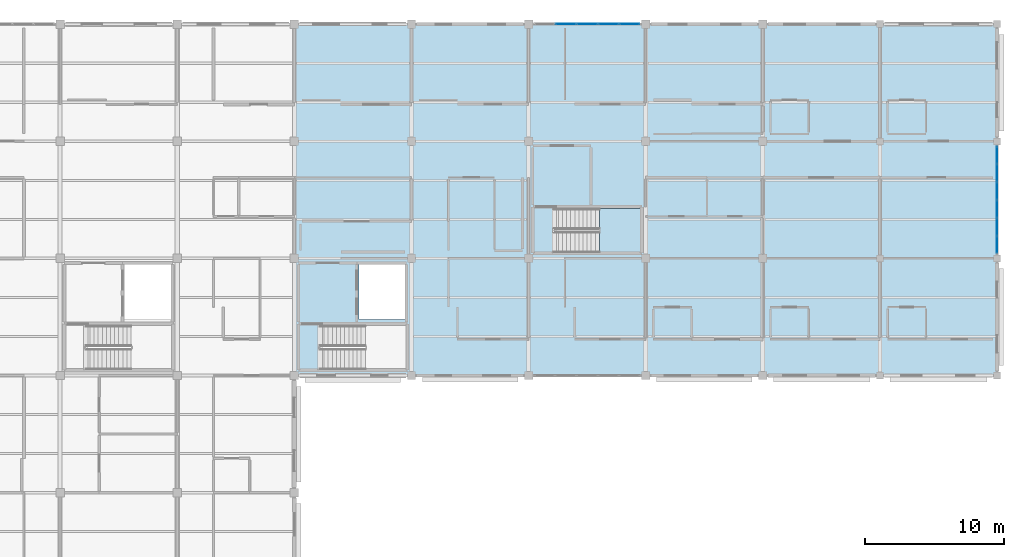
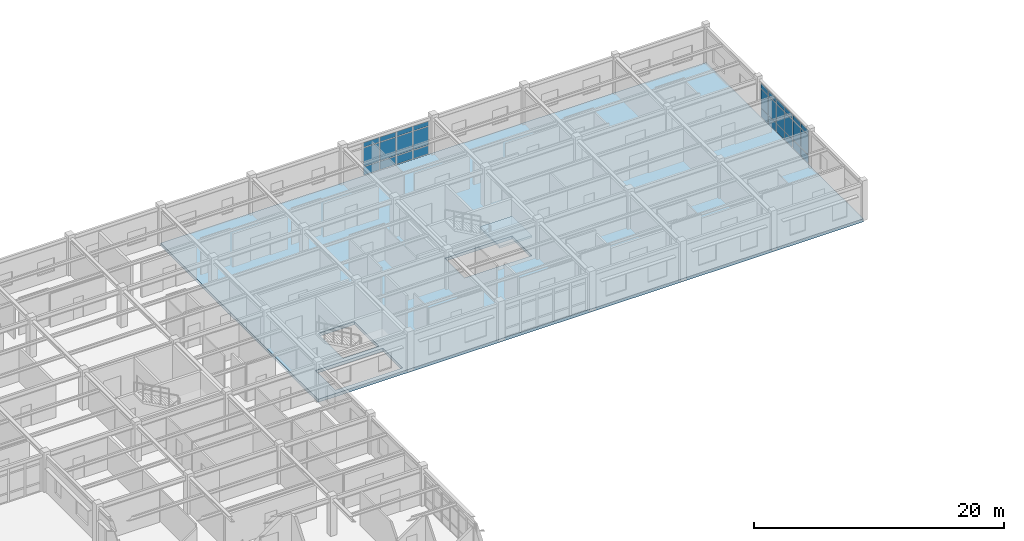
# One storey, part 49 of 86: 30 plates, 2 slabs, 3 elements without a shape of their own.
"""IFC4 building model written with IfcOpenShell, lengths in metres."""

from ifc_helpers import new_model, si_unit, direction, frame, origin, origin_2d, place, context, subcontext, project, spatial, polyline, rectangle, outline, extrude, material, layer, layer_set, type_object, element, aggregate, save


model = new_model("IFC4")

# Units and contexts
model_context = context("Model", 3, precision=1e-05, world=origin(), true_north=direction((0.0, 1.0)))
body_context = subcontext(model_context, "Body", "Model", "MODEL_VIEW")
ifc_project = project(units=[si_unit("LENGTHUNIT", "METRE"), si_unit("AREAUNIT", "SQUARE_METRE"), si_unit("VOLUMEUNIT", "CUBIC_METRE"), si_unit("PLANEANGLEUNIT", "RADIAN"), si_unit("MASSUNIT", "GRAM", prefix="KILO")], contexts=[model_context])

# Site, building, storey
site_placement = place(None, origin())
site = spatial("IfcSite", under=ifc_project, at=site_placement, CompositionType="ELEMENT")
building_placement = place(site_placement, origin())
building = spatial("IfcBuilding", under=site, at=building_placement, Name="Bramfleet General Hospital", CompositionType="ELEMENT")
storey_placement = place(building_placement, frame((0.0, 0.0, 18.60009765625)))
storey = spatial("IfcBuildingStorey", under=building, at=storey_placement, Name="L04", CompositionType="ELEMENT", Elevation=18.60009765625)

# Curtain wall, plates
ifc_material_1 = material(Name="Anodised aluminium and low-E triple glazing", Category="aluminium")
ifc_layer_1 = layer(ifc_material_1, 0.179931640625, Name="CWT-CW-09")
ifc_layer_set_1 = layer_set([ifc_layer_1], Name="Anodised aluminium and low-E triple glazing")
curtain_wall_type_1 = type_object("IfcCurtainWallType", Name="CWT-CW-09", PredefinedType="USERDEFINED", material=ifc_layer_set_1)
curtain_wall_1_placement = place(storey_placement, origin())
curtain_wall_1 = element("IfcCurtainWall", 1, at=curtain_wall_1_placement, inside=storey, type_object=curtain_wall_type_1, Name="L04 Curtain Wall 189", ObjectType="Unitised curtain wall", PredefinedType="USERDEFINED")
ifc_material_2 = material(Name="Low-E laminated safety glass", Category="glass")
ifc_layer_2 = layer(ifc_material_2, 0.028076171875, Name="CWP-GLZ-1")
ifc_layer_set_2 = layer_set([ifc_layer_2], Name="Low-E laminated safety glass")
plate_type_1 = type_object("IfcPlateType", Name="CWP-GLZ-1", PredefinedType="CURTAIN_PANEL", material=ifc_layer_set_2)
plate_1_placement = place(storey_placement, frame((137.070068359375, 117.60009765625, 0.06494140625), z_axis=(0.0, 0.0, 1.0), x_axis=(1.0, 0.0, 0.0)))
plate_1 = element("IfcPlate", 2, at=plate_1_placement, type_object=plate_type_1, Name="CW-09 panel 2.1", PredefinedType="CURTAIN_PANEL", context=body_context, shape_type="SweptSolid", body=[
    extrude(rectangle(XDim=1.4599609375, YDim=0.028076171875, at=origin_2d()), origin(), (0.0, 0.0, 1.0), 0.802490234375),
])
plate_2_placement = place(storey_placement, frame((137.070068359375, 117.60009765625, 0.932373046875), z_axis=(0.0, 0.0, 1.0), x_axis=(1.0, 0.0, 0.0)))
plate_2 = element("IfcPlate", 3, at=plate_2_placement, type_object=plate_type_1, Name="CW-09 panel 2.2", PredefinedType="CURTAIN_PANEL", context=body_context, shape_type="SweptSolid", body=[
    extrude(rectangle(XDim=1.4599609375, YDim=0.028076171875, at=origin_2d()), origin(), (0.0, 0.0, 1.0), 1.794921875),
])
plate_3_placement = place(storey_placement, frame((137.070068359375, 117.60009765625, 2.79248046875), z_axis=(0.0, 0.0, 1.0), x_axis=(1.0, 0.0, 0.0)))
plate_3 = element("IfcPlate", 4, at=plate_3_placement, type_object=plate_type_1, Name="CW-09 panel 2.3", PredefinedType="CURTAIN_PANEL", context=body_context, shape_type="SweptSolid", body=[
    extrude(rectangle(XDim=1.4599609375, YDim=0.028076171875, at=origin_2d()), origin(), (0.0, 0.0, 1.0), 0.452392578125),
])
plate_4_placement = place(storey_placement, frame((138.60009765625, 117.60009765625, 0.06494140625), z_axis=(0.0, 0.0, 1.0), x_axis=(1.0, 0.0, 0.0)))
plate_4 = element("IfcPlate", 5, at=plate_4_placement, type_object=plate_type_1, Name="CW-09 panel 3.1", PredefinedType="CURTAIN_PANEL", context=body_context, shape_type="SweptSolid", body=[
    extrude(rectangle(XDim=1.4599609375, YDim=0.028076171875, at=origin_2d()), origin(), (0.0, 0.0, 1.0), 0.802490234375),
])
plate_5_placement = place(storey_placement, frame((138.60009765625, 117.60009765625, 0.932373046875), z_axis=(0.0, 0.0, 1.0), x_axis=(1.0, 0.0, 0.0)))
plate_5 = element("IfcPlate", 6, at=plate_5_placement, type_object=plate_type_1, Name="CW-09 panel 3.2", PredefinedType="CURTAIN_PANEL", context=body_context, shape_type="SweptSolid", body=[
    extrude(rectangle(XDim=1.4599609375, YDim=0.028076171875, at=origin_2d()), origin(), (0.0, 0.0, 1.0), 1.794921875),
])
plate_6_placement = place(storey_placement, frame((138.60009765625, 117.60009765625, 2.79248046875), z_axis=(0.0, 0.0, 1.0), x_axis=(1.0, 0.0, 0.0)))
plate_6 = element("IfcPlate", 7, at=plate_6_placement, type_object=plate_type_1, Name="CW-09 panel 3.3", PredefinedType="CURTAIN_PANEL", context=body_context, shape_type="SweptSolid", body=[
    extrude(rectangle(XDim=1.4599609375, YDim=0.028076171875, at=origin_2d()), origin(), (0.0, 0.0, 1.0), 0.452392578125),
])
plate_7_placement = place(storey_placement, frame((140.1298828125, 117.60009765625, 0.06494140625), z_axis=(0.0, 0.0, 1.0), x_axis=(1.0, 0.0, 0.0)))
plate_7 = element("IfcPlate", 8, at=plate_7_placement, type_object=plate_type_1, Name="CW-09 panel 4.1", PredefinedType="CURTAIN_PANEL", context=body_context, shape_type="SweptSolid", body=[
    extrude(rectangle(XDim=1.4599609375, YDim=0.028076171875, at=origin_2d()), origin(), (0.0, 0.0, 1.0), 0.802490234375),
])
plate_8_placement = place(storey_placement, frame((140.1298828125, 117.60009765625, 0.932373046875), z_axis=(0.0, 0.0, 1.0), x_axis=(1.0, 0.0, 0.0)))
plate_8 = element("IfcPlate", 9, at=plate_8_placement, type_object=plate_type_1, Name="CW-09 panel 4.2", PredefinedType="CURTAIN_PANEL", context=body_context, shape_type="SweptSolid", body=[
    extrude(rectangle(XDim=1.4599609375, YDim=0.028076171875, at=origin_2d()), origin(), (0.0, 0.0, 1.0), 1.794921875),
])
plate_9_placement = place(storey_placement, frame((140.1298828125, 117.60009765625, 2.79248046875), z_axis=(0.0, 0.0, 1.0), x_axis=(1.0, 0.0, 0.0)))
plate_9 = element("IfcPlate", 10, at=plate_9_placement, type_object=plate_type_1, Name="CW-09 panel 4.3", PredefinedType="CURTAIN_PANEL", context=body_context, shape_type="SweptSolid", body=[
    extrude(rectangle(XDim=1.4599609375, YDim=0.028076171875, at=origin_2d()), origin(), (0.0, 0.0, 1.0), 0.452392578125),
])
plate_10_placement = place(storey_placement, frame((141.642578125, 117.60009765625, 0.06494140625), z_axis=(0.0, 0.0, 1.0), x_axis=(1.0, 0.0, 0.0)))
plate_10 = element("IfcPlate", 11, at=plate_10_placement, type_object=plate_type_1, Name="CW-09 panel 5.1", PredefinedType="CURTAIN_PANEL", context=body_context, shape_type="SweptSolid", body=[
    extrude(rectangle(XDim=1.425048828125, YDim=0.028076171875, at=origin_2d()), origin(), (0.0, 0.0, 1.0), 0.802490234375),
])
plate_11_placement = place(storey_placement, frame((141.642578125, 117.60009765625, 0.932373046875), z_axis=(0.0, 0.0, 1.0), x_axis=(1.0, 0.0, 0.0)))
plate_11 = element("IfcPlate", 12, at=plate_11_placement, type_object=plate_type_1, Name="CW-09 panel 5.2", PredefinedType="CURTAIN_PANEL", context=body_context, shape_type="SweptSolid", body=[
    extrude(rectangle(XDim=1.425048828125, YDim=0.028076171875, at=origin_2d()), origin(), (0.0, 0.0, 1.0), 1.794921875),
])
plate_12_placement = place(storey_placement, frame((141.642578125, 117.60009765625, 2.79248046875), z_axis=(0.0, 0.0, 1.0), x_axis=(1.0, 0.0, 0.0)))
plate_12 = element("IfcPlate", 13, at=plate_12_placement, type_object=plate_type_1, Name="CW-09 panel 5.3", PredefinedType="CURTAIN_PANEL", context=body_context, shape_type="SweptSolid", body=[
    extrude(rectangle(XDim=1.425048828125, YDim=0.028076171875, at=origin_2d()), origin(), (0.0, 0.0, 1.0), 0.452392578125),
])
aggregate(curtain_wall_1, [plate_1, plate_2, plate_3, plate_4, plate_5, plate_6, plate_7, plate_8, plate_9, plate_10, plate_11, plate_12])

ifc_layer_3 = layer(ifc_material_1, 0.179931640625, Name="CWT-CW-10")
ifc_layer_set_3 = layer_set([ifc_layer_3], Name="Anodised aluminium and low-E triple glazing")
curtain_wall_type_2 = type_object("IfcCurtainWallType", Name="CWT-CW-10", PredefinedType="USERDEFINED", material=ifc_layer_set_3)
curtain_wall_2_placement = place(storey_placement, origin())
curtain_wall_2 = element("IfcCurtainWall", 14, at=curtain_wall_2_placement, inside=storey, type_object=curtain_wall_type_2, Name="L04 Curtain Wall 190", ObjectType="Stick curtain wall", PredefinedType="USERDEFINED")
ifc_layer_4 = layer(ifc_material_2, 0.031982421875, Name="CWP-GLZ-2")
ifc_layer_set_4 = layer_set([ifc_layer_4], Name="Low-E laminated safety glass")
plate_type_2 = type_object("IfcPlateType", Name="CWP-GLZ-2", PredefinedType="CURTAIN_PANEL", material=ifc_layer_set_4)
plate_13_placement = place(storey_placement, frame((168.0, 108.211669921875, 0.06494140625), z_axis=(0.0, 0.0, 1.0), x_axis=(0.0, -1.0, 0.0)))
plate_13 = element("IfcPlate", 15, at=plate_13_placement, type_object=plate_type_2, Name="CW-10 panel 1.1", PredefinedType="CURTAIN_PANEL", context=body_context, shape_type="SweptSolid", body=[
    extrude(rectangle(XDim=1.186767578125, YDim=0.031982421875, at=origin_2d()), origin(), (0.0, 0.0, 1.0), 0.802490234375),
])
plate_14_placement = place(storey_placement, frame((168.0, 108.211669921875, 0.932373046875), z_axis=(0.0, 0.0, 1.0), x_axis=(0.0, -1.0, 0.0)))
plate_14 = element("IfcPlate", 16, at=plate_14_placement, type_object=plate_type_2, Name="CW-10 panel 1.2", PredefinedType="CURTAIN_PANEL", context=body_context, shape_type="SweptSolid", body=[
    extrude(rectangle(XDim=1.186767578125, YDim=0.031982421875, at=origin_2d()), origin(), (0.0, 0.0, 1.0), 1.85498046875),
])
plate_15_placement = place(storey_placement, frame((168.0, 108.211669921875, 2.8525390625), z_axis=(0.0, 0.0, 1.0), x_axis=(0.0, -1.0, 0.0)))
plate_15 = element("IfcPlate", 17, at=plate_15_placement, type_object=plate_type_2, Name="CW-10 panel 1.3", PredefinedType="CURTAIN_PANEL", context=body_context, shape_type="SweptSolid", body=[
    extrude(rectangle(XDim=1.186767578125, YDim=0.031982421875, at=origin_2d()), origin(), (0.0, 0.0, 1.0), 0.452392578125),
])
plate_16_placement = place(storey_placement, frame((168.0, 106.9375, 0.06494140625), z_axis=(0.0, 0.0, 1.0), x_axis=(0.0, -1.0, 0.0)))
plate_16 = element("IfcPlate", 18, at=plate_16_placement, type_object=plate_type_2, Name="CW-10 panel 2.1", PredefinedType="CURTAIN_PANEL", context=body_context, shape_type="SweptSolid", body=[
    extrude(rectangle(XDim=1.2216796875, YDim=0.031982421875, at=origin_2d()), origin(), (0.0, 0.0, 1.0), 0.802490234375),
])
plate_17_placement = place(storey_placement, frame((168.0, 106.9375, 0.932373046875), z_axis=(0.0, 0.0, 1.0), x_axis=(0.0, -1.0, 0.0)))
plate_17 = element("IfcPlate", 19, at=plate_17_placement, type_object=plate_type_2, Name="CW-10 panel 2.2", PredefinedType="CURTAIN_PANEL", context=body_context, shape_type="SweptSolid", body=[
    extrude(rectangle(XDim=1.2216796875, YDim=0.031982421875, at=origin_2d()), origin(), (0.0, 0.0, 1.0), 1.85498046875),
])
plate_18_placement = place(storey_placement, frame((168.0, 106.9375, 2.8525390625), z_axis=(0.0, 0.0, 1.0), x_axis=(0.0, -1.0, 0.0)))
plate_18 = element("IfcPlate", 20, at=plate_18_placement, type_object=plate_type_2, Name="CW-10 panel 2.3", PredefinedType="CURTAIN_PANEL", context=body_context, shape_type="SweptSolid", body=[
    extrude(rectangle(XDim=1.2216796875, YDim=0.031982421875, at=origin_2d()), origin(), (0.0, 0.0, 1.0), 0.452392578125),
])
plate_19_placement = place(storey_placement, frame((168.0, 105.645751953125, 0.06494140625), z_axis=(0.0, 0.0, 1.0), x_axis=(0.0, -1.0, 0.0)))
plate_19 = element("IfcPlate", 21, at=plate_19_placement, type_object=plate_type_2, Name="CW-10 panel 3.1", PredefinedType="CURTAIN_PANEL", context=body_context, shape_type="SweptSolid", body=[
    extrude(rectangle(XDim=1.2216796875, YDim=0.031982421875, at=origin_2d()), origin(), (0.0, 0.0, 1.0), 0.802490234375),
])
plate_20_placement = place(storey_placement, frame((168.0, 105.645751953125, 0.932373046875), z_axis=(0.0, 0.0, 1.0), x_axis=(0.0, -1.0, 0.0)))
plate_20 = element("IfcPlate", 22, at=plate_20_placement, type_object=plate_type_2, Name="CW-10 panel 3.2", PredefinedType="CURTAIN_PANEL", context=body_context, shape_type="SweptSolid", body=[
    extrude(rectangle(XDim=1.2216796875, YDim=0.031982421875, at=origin_2d()), origin(), (0.0, 0.0, 1.0), 1.85498046875),
])
plate_21_placement = place(storey_placement, frame((168.0, 105.645751953125, 2.8525390625), z_axis=(0.0, 0.0, 1.0), x_axis=(0.0, -1.0, 0.0)))
plate_21 = element("IfcPlate", 23, at=plate_21_placement, type_object=plate_type_2, Name="CW-10 panel 3.3", PredefinedType="CURTAIN_PANEL", context=body_context, shape_type="SweptSolid", body=[
    extrude(rectangle(XDim=1.2216796875, YDim=0.031982421875, at=origin_2d()), origin(), (0.0, 0.0, 1.0), 0.452392578125),
])
plate_22_placement = place(storey_placement, frame((168.0, 104.354248046875, 0.06494140625), z_axis=(0.0, 0.0, 1.0), x_axis=(0.0, -1.0, 0.0)))
plate_22 = element("IfcPlate", 24, at=plate_22_placement, type_object=plate_type_2, Name="CW-10 panel 4.1", PredefinedType="CURTAIN_PANEL", context=body_context, shape_type="SweptSolid", body=[
    extrude(rectangle(XDim=1.2216796875, YDim=0.031982421875, at=origin_2d()), origin(), (0.0, 0.0, 1.0), 0.802490234375),
])
plate_23_placement = place(storey_placement, frame((168.0, 104.354248046875, 0.932373046875), z_axis=(0.0, 0.0, 1.0), x_axis=(0.0, -1.0, 0.0)))
plate_23 = element("IfcPlate", 25, at=plate_23_placement, type_object=plate_type_2, Name="CW-10 panel 4.2", PredefinedType="CURTAIN_PANEL", context=body_context, shape_type="SweptSolid", body=[
    extrude(rectangle(XDim=1.2216796875, YDim=0.031982421875, at=origin_2d()), origin(), (0.0, 0.0, 1.0), 1.85498046875),
])
plate_24_placement = place(storey_placement, frame((168.0, 104.354248046875, 2.8525390625), z_axis=(0.0, 0.0, 1.0), x_axis=(0.0, -1.0, 0.0)))
plate_24 = element("IfcPlate", 26, at=plate_24_placement, type_object=plate_type_2, Name="CW-10 panel 4.3", PredefinedType="CURTAIN_PANEL", context=body_context, shape_type="SweptSolid", body=[
    extrude(rectangle(XDim=1.2216796875, YDim=0.031982421875, at=origin_2d()), origin(), (0.0, 0.0, 1.0), 0.452392578125),
])
plate_25_placement = place(storey_placement, frame((168.0, 103.0625, 0.06494140625), z_axis=(0.0, 0.0, 1.0), x_axis=(0.0, -1.0, 0.0)))
plate_25 = element("IfcPlate", 27, at=plate_25_placement, type_object=plate_type_2, Name="CW-10 panel 5.1", PredefinedType="CURTAIN_PANEL", context=body_context, shape_type="SweptSolid", body=[
    extrude(rectangle(XDim=1.2216796875, YDim=0.031982421875, at=origin_2d()), origin(), (0.0, 0.0, 1.0), 0.802490234375),
])
plate_26_placement = place(storey_placement, frame((168.0, 103.0625, 0.932373046875), z_axis=(0.0, 0.0, 1.0), x_axis=(0.0, -1.0, 0.0)))
plate_26 = element("IfcPlate", 28, at=plate_26_placement, type_object=plate_type_2, Name="CW-10 panel 5.2", PredefinedType="CURTAIN_PANEL", context=body_context, shape_type="SweptSolid", body=[
    extrude(rectangle(XDim=1.2216796875, YDim=0.031982421875, at=origin_2d()), origin(), (0.0, 0.0, 1.0), 1.85498046875),
])
plate_27_placement = place(storey_placement, frame((168.0, 103.0625, 2.8525390625), z_axis=(0.0, 0.0, 1.0), x_axis=(0.0, -1.0, 0.0)))
plate_27 = element("IfcPlate", 29, at=plate_27_placement, type_object=plate_type_2, Name="CW-10 panel 5.3", PredefinedType="CURTAIN_PANEL", context=body_context, shape_type="SweptSolid", body=[
    extrude(rectangle(XDim=1.2216796875, YDim=0.031982421875, at=origin_2d()), origin(), (0.0, 0.0, 1.0), 0.452392578125),
])
plate_28_placement = place(storey_placement, frame((168.0, 101.788330078125, 0.06494140625), z_axis=(0.0, 0.0, 1.0), x_axis=(0.0, -1.0, 0.0)))
plate_28 = element("IfcPlate", 30, at=plate_28_placement, type_object=plate_type_2, Name="CW-10 panel 6.1", PredefinedType="CURTAIN_PANEL", context=body_context, shape_type="SweptSolid", body=[
    extrude(rectangle(XDim=1.186767578125, YDim=0.031982421875, at=origin_2d()), origin(), (0.0, 0.0, 1.0), 0.802490234375),
])
plate_29_placement = place(storey_placement, frame((168.0, 101.788330078125, 0.932373046875), z_axis=(0.0, 0.0, 1.0), x_axis=(0.0, -1.0, 0.0)))
plate_29 = element("IfcPlate", 31, at=plate_29_placement, type_object=plate_type_2, Name="CW-10 panel 6.2", PredefinedType="CURTAIN_PANEL", context=body_context, shape_type="SweptSolid", body=[
    extrude(rectangle(XDim=1.186767578125, YDim=0.031982421875, at=origin_2d()), origin(), (0.0, 0.0, 1.0), 1.85498046875),
])
plate_30_placement = place(storey_placement, frame((168.0, 101.788330078125, 2.8525390625), z_axis=(0.0, 0.0, 1.0), x_axis=(0.0, -1.0, 0.0)))
plate_30 = element("IfcPlate", 32, at=plate_30_placement, type_object=plate_type_2, Name="CW-10 panel 6.3", PredefinedType="CURTAIN_PANEL", context=body_context, shape_type="SweptSolid", body=[
    extrude(rectangle(XDim=1.186767578125, YDim=0.031982421875, at=origin_2d()), origin(), (0.0, 0.0, 1.0), 0.452392578125),
])
aggregate(curtain_wall_2, [plate_13, plate_14, plate_15, plate_16, plate_17, plate_18, plate_19, plate_20, plate_21, plate_22, plate_23, plate_24, plate_25, plate_26, plate_27, plate_28, plate_29, plate_30])

# Slab
ifc_material_3 = material(Name="Concrete C35/45", Category="concrete")
ifc_layer_5 = layer(ifc_material_3, 0.300048828125, Name="SL-FLR-300")
ifc_layer_set_5 = layer_set([ifc_layer_5], Name="Concrete C35/45")
slab_type_1 = type_object("IfcSlabType", Name="SL-FLR-300", PredefinedType="FLOOR", material=ifc_layer_set_5)
slab_1_placement = place(storey_placement, frame((0.0, 0.0, -0.300048828125)))
element("IfcSlab", 33, at=slab_1_placement, inside=storey, type_object=slab_type_1, Name="L04 Structural Floor Slab (EAST)", PredefinedType="FLOOR", context=body_context, shape_type="SweptSolid", body=[
    extrude(outline(polyline([(126.0, 117.60009765625), (134.39990234375, 117.60009765625), (142.800048828125, 117.60009765625), (151.199951171875, 117.60009765625), (159.60009765625, 117.60009765625), (168.0, 117.60009765625), (168.0, 109.199951171875), (168.0, 100.800048828125), (168.0, 92.39990234375), (159.60009765625, 92.39990234375), (151.199951171875, 92.39990234375), (142.800048828125, 92.39990234375), (134.39990234375, 92.39990234375), (126.0, 92.39990234375), (117.60009765625, 92.39990234375), (117.60009765625, 117.60009765625), (126.0, 117.60009765625)]), holes=[polyline([(119.43994140625, 92.820068359375), (125.659912109375, 92.820068359375), (125.659912109375, 95.97998046875), (119.43994140625, 95.97998046875), (119.43994140625, 92.820068359375)]), polyline([(122.219970703125, 96.39990234375), (125.550048828125, 96.39990234375), (125.550048828125, 100.35009765625), (122.219970703125, 100.35009765625), (122.219970703125, 96.39990234375)]), polyline([(136.239990234375, 101.219970703125), (142.4599609375, 101.219970703125), (142.4599609375, 104.3798828125), (136.239990234375, 104.3798828125), (136.239990234375, 101.219970703125)])]), origin(), (0.0, 0.0, 1.0), 0.300048828125),
])

# Stair, slab
stair_type = type_object("IfcStairType", Name="STR-T4", PredefinedType="HALF_TURN_STAIR", material=ifc_material_3)
stair_placement = place(storey_placement, origin())
stair = element("IfcStair", 34, at=stair_placement, inside=storey, type_object=stair_type, Name="L04 Core C9 (North-East Ward & Diagnostic Escape) Protected Escape Stair", PredefinedType="HALF_TURN_STAIR")
ifc_layer_6 = layer(ifc_material_3, 0.199951171875, Name="SL-LND-200")
ifc_layer_set_6 = layer_set([ifc_layer_6], Name="Concrete C35/45")
slab_type_2 = type_object("IfcSlabType", Name="SL-LND-200", PredefinedType="LANDING", material=ifc_layer_set_6)
slab_2_placement = place(storey_placement, frame((0.0, 0.0, 1.75)))
slab_2 = element("IfcSlab", 35, at=slab_2_placement, type_object=slab_type_2, Name="ST-C9 landing 1", PredefinedType="LANDING", context=body_context, shape_type="SweptSolid", body=[
    extrude(outline(polyline([(139.485107421875, 101.219970703125), (142.4599609375, 101.219970703125), (142.4599609375, 104.3798828125), (139.485107421875, 104.3798828125), (139.485107421875, 101.219970703125)])), origin(), (0.0, 0.0, 1.0), 0.199951171875),
])
aggregate(stair, [slab_2])

save(model, "model.ifc")
